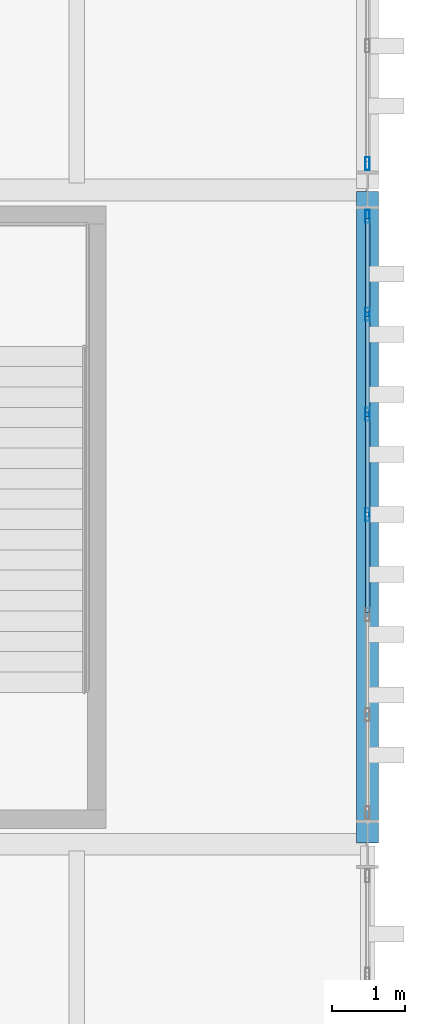
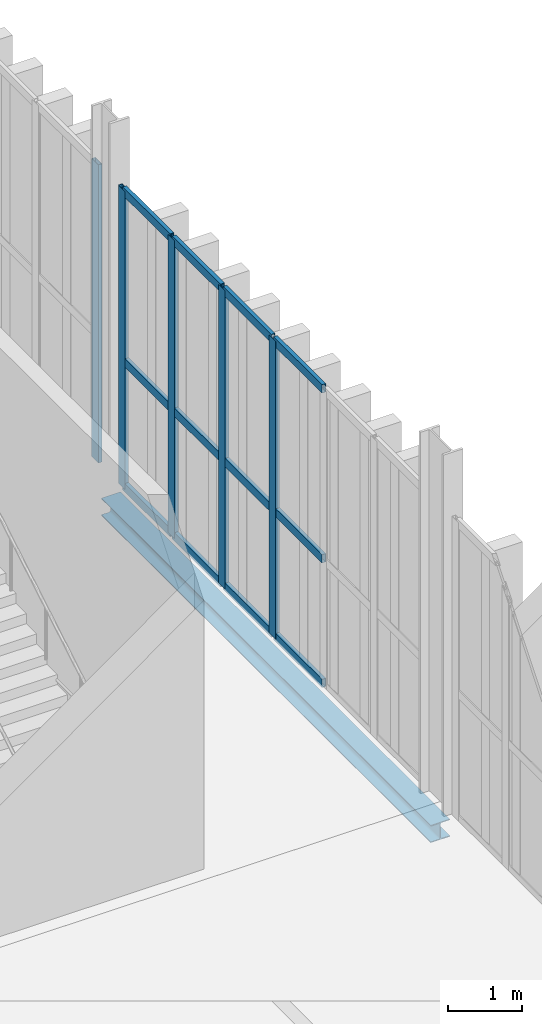
# One storey, part 107 of 211: 17 members, 1 beam, 2 elements without a shape of their own.
"""IFC4 building model written with IfcOpenShell, lengths in metres."""

from ifc_helpers import new_model, si_unit, direction, frame, origin, origin_2d, place, context, subcontext, project, spatial, hollow_rectangle, i_section, extrude, material, layer, layer_set, material_profile, profile_set, type_object, element, aggregate, save


model = new_model("IFC4")

# Units and contexts
model_context = context("Model", 3, precision=1e-05, world=origin(), true_north=direction((0.0, 1.0)))
body_context = subcontext(model_context, "Body", "Model", "MODEL_VIEW")
ifc_project = project(units=[si_unit("LENGTHUNIT", "METRE"), si_unit("AREAUNIT", "SQUARE_METRE"), si_unit("VOLUMEUNIT", "CUBIC_METRE"), si_unit("PLANEANGLEUNIT", "RADIAN"), si_unit("MASSUNIT", "GRAM", prefix="KILO")], contexts=[model_context])

# Site, building, storey
site_placement = place(None, origin())
site = spatial("IfcSite", under=ifc_project, at=site_placement, CompositionType="ELEMENT")
building_placement = place(site_placement, origin())
building = spatial("IfcBuilding", under=site, at=building_placement, Name="Barlavento Convention Centre", CompositionType="ELEMENT")
storey_placement = place(building_placement, frame((0.0, 0.0, 6.0)))
storey = spatial("IfcBuildingStorey", under=building, at=storey_placement, Name="L01", CompositionType="ELEMENT", Elevation=6.0)

# Curtain wall, members
ifc_material_1 = material(Name="Powder-coated aluminium and Low-E glass", Category="aluminium")
ifc_layer = layer(ifc_material_1, 0.195068359375)
ifc_layer_set = layer_set([ifc_layer], Name="ARC-CW-FOY-L01")
curtain_wall_type = type_object("IfcCurtainWallType", Name="ARC-CW-FOY-L01", PredefinedType="NOTDEFINED", material=ifc_layer_set)
curtain_wall_1_placement = place(storey_placement, origin())
curtain_wall_1 = element("IfcCurtainWall", 1, at=curtain_wall_1_placement, inside=storey, type_object=curtain_wall_type, Name="L01 unitised curtain wall CW03", PredefinedType="NOTDEFINED")
ifc_material_2 = material(Name="Powder-coated aluminium", Category="aluminium")
ifc_material_profile_1 = material_profile(ifc_material_2, hollow_rectangle(XDim=0.06005859375, YDim=0.179931640625, WallThickness=0.0048828125, at=origin_2d()), Name="AL-MULL 60x180x5")
ifc_profile_set_1 = profile_set([ifc_material_profile_1], Name="Powder-coated aluminium")
member_type_1 = type_object("IfcMemberType", Name="ARC-CWM-60X180", PredefinedType="MULLION", material=ifc_profile_set_1)
member_1_placement = place(storey_placement, frame((192.0, 58.535888671875, 0.0), z_axis=(0.0, 0.0, 1.0), x_axis=(-1.0, 0.0, 0.0)))
member_1 = element("IfcMember", 2, at=member_1_placement, type_object=member_type_1, Name="CW03 mullion 4", PredefinedType="MULLION", context=body_context, shape_type="SweptSolid", body=[
    extrude(hollow_rectangle(XDim=0.06005859375, YDim=0.179931640625, WallThickness=0.0048828125, at=origin_2d()), origin(), (0.0, 0.0, 1.0), 4.949951171875),
])
member_2_placement = place(storey_placement, frame((192.0, 59.913330078125, 0.0), z_axis=(0.0, 0.0, 1.0), x_axis=(-1.0, 0.0, 0.0)))
member_2 = element("IfcMember", 3, at=member_2_placement, type_object=member_type_1, Name="CW03 mullion 5", PredefinedType="MULLION", context=body_context, shape_type="SweptSolid", body=[
    extrude(hollow_rectangle(XDim=0.06005859375, YDim=0.179931640625, WallThickness=0.0048828125, at=origin_2d()), origin(), (0.0, 0.0, 1.0), 4.949951171875),
])
member_3_placement = place(storey_placement, frame((192.0, 61.290771484375, 0.0), z_axis=(0.0, 0.0, 1.0), x_axis=(-1.0, 0.0, 0.0)))
member_3 = element("IfcMember", 4, at=member_3_placement, type_object=member_type_1, Name="CW03 mullion 6", PredefinedType="MULLION", context=body_context, shape_type="SweptSolid", body=[
    extrude(hollow_rectangle(XDim=0.06005859375, YDim=0.179931640625, WallThickness=0.0048828125, at=origin_2d()), origin(), (0.0, 0.0, 1.0), 4.949951171875),
])
member_4_placement = place(storey_placement, frame((192.0, 62.637939453125, 0.0), z_axis=(0.0, 0.0, 1.0), x_axis=(-1.0, 0.0, 0.0)))
member_4 = element("IfcMember", 5, at=member_4_placement, type_object=member_type_1, Name="CW03 mullion 7", PredefinedType="MULLION", context=body_context, shape_type="SweptSolid", body=[
    extrude(hollow_rectangle(XDim=0.06005859375, YDim=0.179931640625, WallThickness=0.0048828125, at=origin_2d()), origin(), (0.0, 0.0, 1.0), 4.949951171875),
])

# Curtain wall, member
curtain_wall_2_placement = place(storey_placement, origin())
curtain_wall_2 = element("IfcCurtainWall", 6, at=curtain_wall_2_placement, inside=storey, type_object=curtain_wall_type, Name="L01 unitised curtain wall CW03", PredefinedType="NOTDEFINED")
member_5_placement = place(storey_placement, frame((192.0, 63.362060546875, 0.0), z_axis=(0.0, 0.0, 1.0), x_axis=(-1.0, 0.0, 0.0)))
member_5 = element("IfcMember", 7, at=member_5_placement, type_object=member_type_1, Name="CW03 mullion 1", PredefinedType="MULLION", context=body_context, shape_type="SweptSolid", body=[
    extrude(hollow_rectangle(XDim=0.06005859375, YDim=0.179931640625, WallThickness=0.0048828125, at=origin_2d()), origin(), (0.0, 0.0, 1.0), 4.949951171875),
])
aggregate(curtain_wall_2, [member_5])

# Member
ifc_material_profile_2 = material_profile(ifc_material_2, hollow_rectangle(XDim=0.06005859375, YDim=0.139892578125, WallThickness=0.00390625, at=origin_2d()), Name="AL-TRAN 60x140x4")
ifc_profile_set_2 = profile_set([ifc_material_profile_2], Name="Powder-coated aluminium")
member_type_2 = type_object("IfcMemberType", Name="ARC-CWT-60X140", PredefinedType="USERDEFINED", material=ifc_profile_set_2)
member_6_placement = place(storey_placement, frame((192.0, 57.188720703125, 0.030029296875), z_axis=(0.0, 1.0, 0.0), x_axis=(-1.0, 0.0, 0.0)))
member_6 = element("IfcMember", 8, at=member_6_placement, type_object=member_type_2, Name="CW03 transom 3.1", ObjectType="TRANSOM", PredefinedType="USERDEFINED", context=body_context, shape_type="SweptSolid", body=[
    extrude(hollow_rectangle(XDim=0.06005859375, YDim=0.139892578125, WallThickness=0.00390625, at=origin_2d()), origin(), (0.0, 0.0, 1.0), 1.3173828125),
])

member_7_placement = place(storey_placement, frame((192.0, 57.188720703125, 2.10009765625), z_axis=(0.0, 1.0, 0.0), x_axis=(-1.0, 0.0, 0.0)))
member_7 = element("IfcMember", 9, at=member_7_placement, type_object=member_type_2, Name="CW03 transom 3.2", ObjectType="TRANSOM", PredefinedType="USERDEFINED", context=body_context, shape_type="SweptSolid", body=[
    extrude(hollow_rectangle(XDim=0.06005859375, YDim=0.139892578125, WallThickness=0.00390625, at=origin_2d()), origin(), (0.0, 0.0, 1.0), 1.3173828125),
])

member_8_placement = place(storey_placement, frame((192.0, 57.188720703125, 4.919921875), z_axis=(0.0, 1.0, 0.0), x_axis=(-1.0, 0.0, 0.0)))
member_8 = element("IfcMember", 10, at=member_8_placement, type_object=member_type_2, Name="CW03 transom 3.3", ObjectType="TRANSOM", PredefinedType="USERDEFINED", context=body_context, shape_type="SweptSolid", body=[
    extrude(hollow_rectangle(XDim=0.06005859375, YDim=0.139892578125, WallThickness=0.00390625, at=origin_2d()), origin(), (0.0, 0.0, 1.0), 1.3173828125),
])

member_9_placement = place(storey_placement, frame((192.0, 58.56591796875, 0.030029296875), z_axis=(0.0, 1.0, 0.0), x_axis=(-1.0, 0.0, 0.0)))
member_9 = element("IfcMember", 11, at=member_9_placement, type_object=member_type_2, Name="CW03 transom 4.1", ObjectType="TRANSOM", PredefinedType="USERDEFINED", context=body_context, shape_type="SweptSolid", body=[
    extrude(hollow_rectangle(XDim=0.06005859375, YDim=0.139892578125, WallThickness=0.00390625, at=origin_2d()), origin(), (0.0, 0.0, 1.0), 1.3173828125),
])

member_10_placement = place(storey_placement, frame((192.0, 58.56591796875, 2.10009765625), z_axis=(0.0, 1.0, 0.0), x_axis=(-1.0, 0.0, 0.0)))
member_10 = element("IfcMember", 12, at=member_10_placement, type_object=member_type_2, Name="CW03 transom 4.2", ObjectType="TRANSOM", PredefinedType="USERDEFINED", context=body_context, shape_type="SweptSolid", body=[
    extrude(hollow_rectangle(XDim=0.06005859375, YDim=0.139892578125, WallThickness=0.00390625, at=origin_2d()), origin(), (0.0, 0.0, 1.0), 1.3173828125),
])

member_11_placement = place(storey_placement, frame((192.0, 58.56591796875, 4.919921875), z_axis=(0.0, 1.0, 0.0), x_axis=(-1.0, 0.0, 0.0)))
member_11 = element("IfcMember", 13, at=member_11_placement, type_object=member_type_2, Name="CW03 transom 4.3", ObjectType="TRANSOM", PredefinedType="USERDEFINED", context=body_context, shape_type="SweptSolid", body=[
    extrude(hollow_rectangle(XDim=0.06005859375, YDim=0.139892578125, WallThickness=0.00390625, at=origin_2d()), origin(), (0.0, 0.0, 1.0), 1.3173828125),
])

member_12_placement = place(storey_placement, frame((192.0, 59.943359375, 0.030029296875), z_axis=(0.0, 1.0, 0.0), x_axis=(-1.0, 0.0, 0.0)))
member_12 = element("IfcMember", 14, at=member_12_placement, type_object=member_type_2, Name="CW03 transom 5.1", ObjectType="TRANSOM", PredefinedType="USERDEFINED", context=body_context, shape_type="SweptSolid", body=[
    extrude(hollow_rectangle(XDim=0.06005859375, YDim=0.139892578125, WallThickness=0.00390625, at=origin_2d()), origin(), (0.0, 0.0, 1.0), 1.3173828125),
])

member_13_placement = place(storey_placement, frame((192.0, 59.943359375, 2.10009765625), z_axis=(0.0, 1.0, 0.0), x_axis=(-1.0, 0.0, 0.0)))
member_13 = element("IfcMember", 15, at=member_13_placement, type_object=member_type_2, Name="CW03 transom 5.2", ObjectType="TRANSOM", PredefinedType="USERDEFINED", context=body_context, shape_type="SweptSolid", body=[
    extrude(hollow_rectangle(XDim=0.06005859375, YDim=0.139892578125, WallThickness=0.00390625, at=origin_2d()), origin(), (0.0, 0.0, 1.0), 1.3173828125),
])

member_14_placement = place(storey_placement, frame((192.0, 59.943359375, 4.919921875), z_axis=(0.0, 1.0, 0.0), x_axis=(-1.0, 0.0, 0.0)))
member_14 = element("IfcMember", 16, at=member_14_placement, type_object=member_type_2, Name="CW03 transom 5.3", ObjectType="TRANSOM", PredefinedType="USERDEFINED", context=body_context, shape_type="SweptSolid", body=[
    extrude(hollow_rectangle(XDim=0.06005859375, YDim=0.139892578125, WallThickness=0.00390625, at=origin_2d()), origin(), (0.0, 0.0, 1.0), 1.3173828125),
])

member_15_placement = place(storey_placement, frame((192.0, 61.320556640625, 0.030029296875), z_axis=(0.0, 1.0, 0.0), x_axis=(-1.0, 0.0, 0.0)))
member_15 = element("IfcMember", 17, at=member_15_placement, type_object=member_type_2, Name="CW03 transom 6.1", ObjectType="TRANSOM", PredefinedType="USERDEFINED", context=body_context, shape_type="SweptSolid", body=[
    extrude(hollow_rectangle(XDim=0.06005859375, YDim=0.139892578125, WallThickness=0.00390625, at=origin_2d()), origin(), (0.0, 0.0, 1.0), 1.287353515625),
])

member_16_placement = place(storey_placement, frame((192.0, 61.320556640625, 2.10009765625), z_axis=(0.0, 1.0, 0.0), x_axis=(-1.0, 0.0, 0.0)))
member_16 = element("IfcMember", 18, at=member_16_placement, type_object=member_type_2, Name="CW03 transom 6.2", ObjectType="TRANSOM", PredefinedType="USERDEFINED", context=body_context, shape_type="SweptSolid", body=[
    extrude(hollow_rectangle(XDim=0.06005859375, YDim=0.139892578125, WallThickness=0.00390625, at=origin_2d()), origin(), (0.0, 0.0, 1.0), 1.287353515625),
])

member_17_placement = place(storey_placement, frame((192.0, 61.320556640625, 4.919921875), z_axis=(0.0, 1.0, 0.0), x_axis=(-1.0, 0.0, 0.0)))
member_17 = element("IfcMember", 19, at=member_17_placement, type_object=member_type_2, Name="CW03 transom 6.3", ObjectType="TRANSOM", PredefinedType="USERDEFINED", context=body_context, shape_type="SweptSolid", body=[
    extrude(hollow_rectangle(XDim=0.06005859375, YDim=0.139892578125, WallThickness=0.00390625, at=origin_2d()), origin(), (0.0, 0.0, 1.0), 1.287353515625),
])

aggregate(curtain_wall_1, [member_1, member_2, member_3, member_4, member_6, member_7, member_8, member_9, member_10, member_11, member_12, member_13, member_14, member_15, member_16, member_17])

# Beam
ifc_material_3 = material(Name="Steel S355", Category="steel")
ifc_material_profile_3 = material_profile(ifc_material_3, i_section(OverallWidth=0.300048828125, OverallDepth=0.2900390625, WebThickness=0.008544921875, FlangeThickness=0.013916015625, FilletRadius=0.027099609375, at=origin_2d()), Name="HEA 300")
ifc_profile_set_3 = profile_set([ifc_material_profile_3], Name="Steel S355")
beam_type = type_object("IfcBeamType", Name="STR-BM-SPN-HEA300", PredefinedType="SPANDREL", material=ifc_profile_set_3)
beam_placement = place(storey_placement, frame((192.0, 54.02001953125, -0.5048828125), z_axis=(0.0, 1.0, 0.0), x_axis=(-1.0, 0.0, 0.0)))
element("IfcBeam", 20, at=beam_placement, inside=storey, type_object=beam_type, Name="L01 grid girder SP02", PredefinedType="SPANDREL", context=body_context, shape_type="SweptSolid", body=[
    extrude(i_section(OverallWidth=0.300048828125, OverallDepth=0.2900390625, WebThickness=0.008544921875, FlangeThickness=0.013916015625, FilletRadius=0.027099609375, at=origin_2d()), origin(), (0.0, 0.0, 1.0), 8.9599609375),
])

save(model, "model.ifc")
